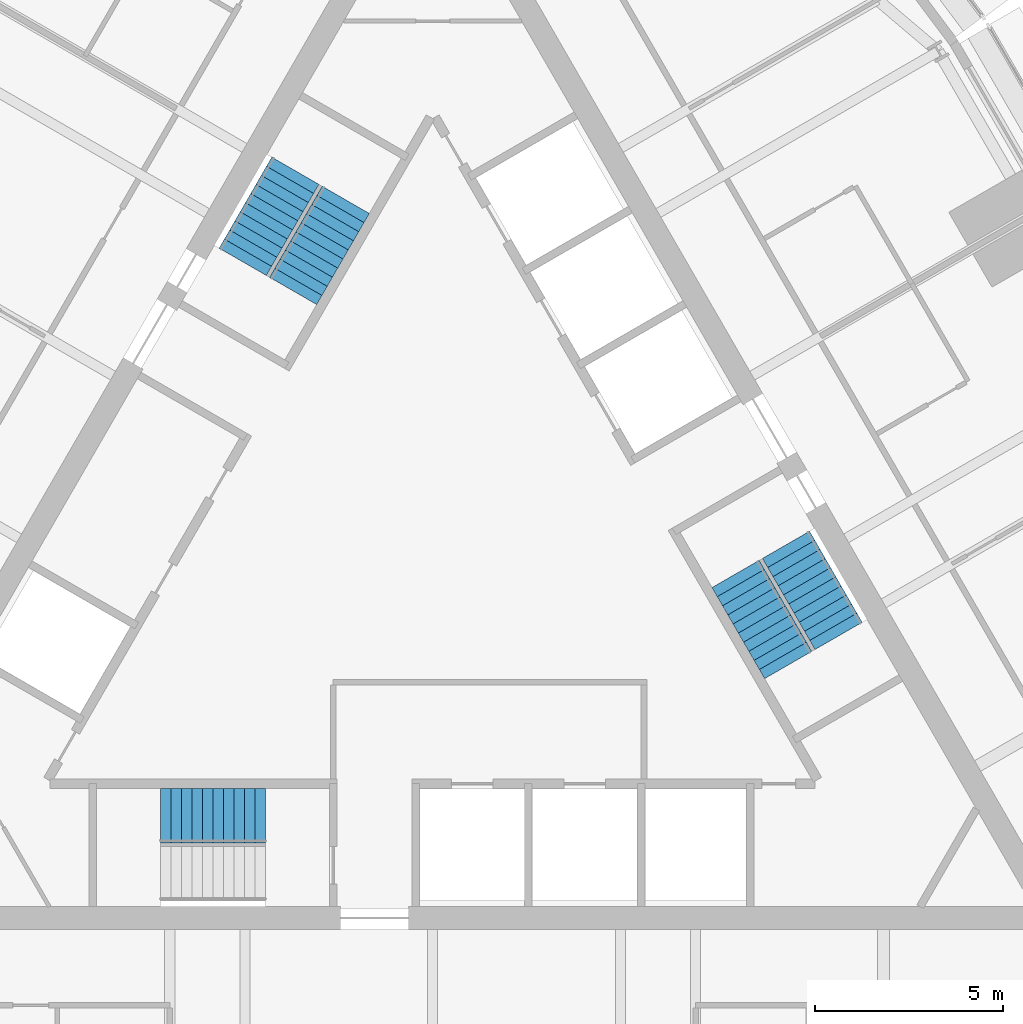
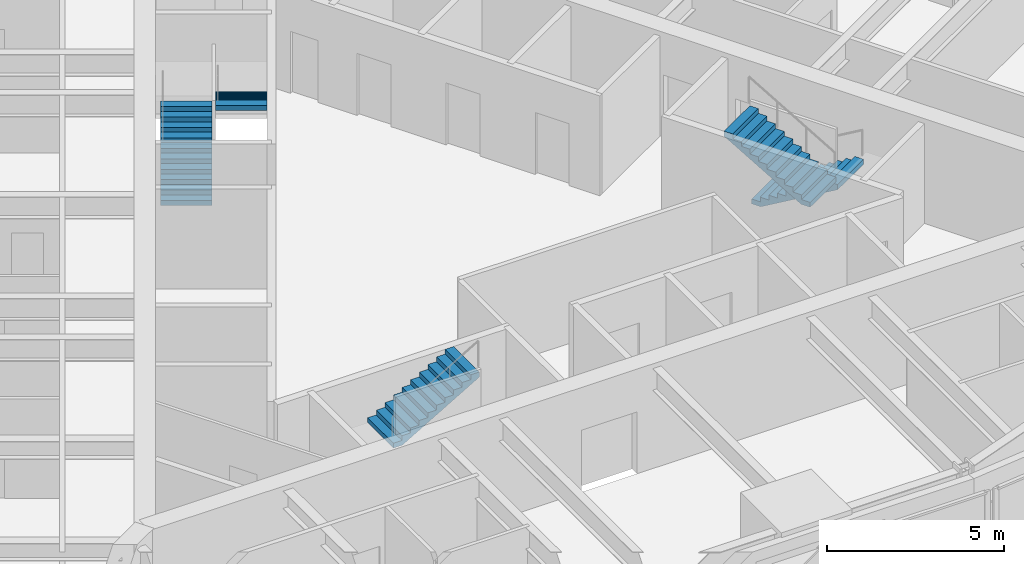
# One storey, part 11 of 12: 5 stair flights, 3 elements without a shape of their own.
"""IFC4 building model written with IfcOpenShell, lengths in metres."""

from ifc_helpers import new_model, si_unit, direction, frame, origin, place, context, subcontext, project, spatial, polyline, outline, extrude, material, type_object, element, aggregate, save


model = new_model("IFC4")

# Units and contexts
model_context = context("Model", 3, precision=1e-05, world=origin(), true_north=direction((0.0, 1.0)))
body_context = subcontext(model_context, "Body", "Model", "MODEL_VIEW")
ifc_project = project(units=[si_unit("LENGTHUNIT", "METRE"), si_unit("AREAUNIT", "SQUARE_METRE"), si_unit("VOLUMEUNIT", "CUBIC_METRE"), si_unit("PLANEANGLEUNIT", "RADIAN"), si_unit("MASSUNIT", "GRAM", prefix="KILO")], contexts=[model_context])

# Site, building, storey
site_placement = place(None, origin())
site = spatial("IfcSite", under=ifc_project, at=site_placement, CompositionType="ELEMENT")
building_placement = place(site_placement, origin())
building = spatial("IfcBuilding", under=site, at=building_placement, Name="Trikona Tower", CompositionType="ELEMENT")
storey_placement = place(building_placement, frame((0.0, 0.0, 253.699951171875)))
storey = spatial("IfcBuildingStorey", under=building, at=storey_placement, Name="L67", CompositionType="ELEMENT", Elevation=253.699951171875)

# Stair, stair flight
ifc_material_1 = material(Name="Concrete f'c 5000 psi", Category="concrete")
stair_type = type_object("IfcStairType", Name="Core stair", PredefinedType="HALF_TURN_STAIR", material=ifc_material_1)
stair_1_placement = place(storey_placement, origin())
stair_1 = element("IfcStair", 1, at=stair_1_placement, inside=storey, type_object=stair_type, Name="Stair A L67", PredefinedType="HALF_TURN_STAIR")
ifc_material_2 = material(Name="Concrete f'c 5000 psi", Category="concrete")
stair_flight_type = type_object("IfcStairFlightType", Name="Core stair flight 1450", PredefinedType="STRAIGHT", material=ifc_material_2)
stair_flight_1_placement = place(storey_placement, frame((-7.25, -6.80126953125, 1.800048828125), z_axis=(0.0, 0.0, 1.0), x_axis=(1.0, 0.0, 0.0)))
stair_flight_1 = element("IfcStairFlight", 2, at=stair_flight_1_placement, type_object=stair_flight_type, Name="ST-A flight 2", NumberOfRisers=11, NumberOfTreads=10, PredefinedType="STRAIGHT", RiserHeight=0.163636, TreadLength=0.28, context=body_context, shape_type="SweptSolid", body=[
    extrude(outline(polyline([(0.0, 0.0), (0.0, 0.16357421875), (0.280029296875, 0.16357421875), (0.280029296875, 0.327392578125), (0.56005859375, 0.327392578125), (0.56005859375, 0.490966796875), (0.840087890625, 0.490966796875), (0.840087890625, 0.654541015625), (1.1201171875, 0.654541015625), (1.1201171875, 0.818115234375), (1.39990234375, 0.818115234375), (1.39990234375, 0.98193359375), (1.679931640625, 0.98193359375), (1.679931640625, 1.1455078125), (1.9599609375, 1.1455078125), (1.9599609375, 1.30908203125), (2.239990234375, 1.30908203125), (2.239990234375, 1.47265625), (2.52001953125, 1.47265625), (2.52001953125, 1.636474609375), (2.800048828125, 1.636474609375), (2.800048828125, 1.800048828125), (2.800048828125, 1.462646484375), (0.297119140625, 0.0), (0.0, 0.0)])), frame((0.0, 0.72509765625, 0.0), z_axis=(0.0, -1.0, 0.0), x_axis=(1.0, 0.0, 0.0)), (0.0, 0.0, 1.0), 1.449951171875),
])
aggregate(stair_1, [stair_flight_1])

# Stair, stair flights
stair_2_placement = place(storey_placement, origin())
stair_2 = element("IfcStair", 3, at=stair_2_placement, inside=storey, type_object=stair_type, Name="Stair B L67", PredefinedType="HALF_TURN_STAIR")
stair_flight_2_placement = place(storey_placement, frame((9.407470703125, 0.408447265625, 0.0), z_axis=(0.0, 0.0, 1.0), x_axis=(0.5, -0.866025403784, 0.0)))
stair_flight_2 = element("IfcStairFlight", 4, at=stair_flight_2_placement, type_object=stair_flight_type, Name="ST-B flight 1", NumberOfRisers=11, NumberOfTreads=10, PredefinedType="STRAIGHT", RiserHeight=0.163636, TreadLength=0.28, context=body_context, shape_type="SweptSolid", body=[
    extrude(outline(polyline([(0.0, 0.0), (0.0, 0.16357421875), (0.280029296875, 0.16357421875), (0.280029296875, 0.327392578125), (0.56005859375, 0.327392578125), (0.56005859375, 0.490966796875), (0.840087890625, 0.490966796875), (0.840087890625, 0.654541015625), (1.1201171875, 0.654541015625), (1.1201171875, 0.818115234375), (1.39990234375, 0.818115234375), (1.39990234375, 0.98193359375), (1.679931640625, 0.98193359375), (1.679931640625, 1.1455078125), (1.9599609375, 1.1455078125), (1.9599609375, 1.30908203125), (2.239990234375, 1.30908203125), (2.239990234375, 1.47265625), (2.52001953125, 1.47265625), (2.52001953125, 1.636474609375), (2.800048828125, 1.636474609375), (2.800048828125, 1.800048828125), (2.800048828125, 1.462646484375), (0.297119140625, 0.0), (0.0, 0.0)])), frame((0.0, 0.72509765625, 0.0), z_axis=(0.0, -1.0, 0.0), x_axis=(1.0, 0.0, 0.0)), (0.0, 0.0, 1.0), 1.449951171875),
])
stair_flight_3_placement = place(storey_placement, frame((9.465087890625, -2.79150390625, 1.800048828125), z_axis=(0.0, 0.0, 1.0), x_axis=(-0.5, 0.866025403784, 0.0)))
stair_flight_3 = element("IfcStairFlight", 5, at=stair_flight_3_placement, type_object=stair_flight_type, Name="ST-B flight 2", NumberOfRisers=11, NumberOfTreads=10, PredefinedType="STRAIGHT", RiserHeight=0.163636, TreadLength=0.28, context=body_context, shape_type="SweptSolid", body=[
    extrude(outline(polyline([(0.0, 0.0), (0.0, 0.16357421875), (0.280029296875, 0.16357421875), (0.280029296875, 0.327392578125), (0.56005859375, 0.327392578125), (0.56005859375, 0.490966796875), (0.840087890625, 0.490966796875), (0.840087890625, 0.654541015625), (1.1201171875, 0.654541015625), (1.1201171875, 0.818115234375), (1.39990234375, 0.818115234375), (1.39990234375, 0.98193359375), (1.679931640625, 0.98193359375), (1.679931640625, 1.1455078125), (1.9599609375, 1.1455078125), (1.9599609375, 1.30908203125), (2.239990234375, 1.30908203125), (2.239990234375, 1.47265625), (2.52001953125, 1.47265625), (2.52001953125, 1.636474609375), (2.800048828125, 1.636474609375), (2.800048828125, 1.800048828125), (2.800048828125, 1.462646484375), (0.297119140625, 0.0), (0.0, 0.0)])), frame((0.0, 0.72509765625, 0.0), z_axis=(0.0, -1.0, 0.0), x_axis=(1.0, 0.0, 0.0)), (0.0, 0.0, 1.0), 1.449951171875),
])
aggregate(stair_2, [stair_flight_2, stair_flight_3])

stair_3_placement = place(storey_placement, origin())
stair_3 = element("IfcStair", 6, at=stair_3_placement, inside=storey, type_object=stair_type, Name="Stair C L67", PredefinedType="HALF_TURN_STAIR")
stair_flight_4_placement = place(storey_placement, frame((-5.057373046875, 7.94287109375, 0.0), z_axis=(0.0, 0.0, 1.0), x_axis=(0.5, 0.866025403784, 0.0)))
stair_flight_4 = element("IfcStairFlight", 7, at=stair_flight_4_placement, type_object=stair_flight_type, Name="ST-C flight 1", NumberOfRisers=11, NumberOfTreads=10, PredefinedType="STRAIGHT", RiserHeight=0.163636, TreadLength=0.28, context=body_context, shape_type="SweptSolid", body=[
    extrude(outline(polyline([(0.0, 0.0), (0.0, 0.16357421875), (0.280029296875, 0.16357421875), (0.280029296875, 0.327392578125), (0.56005859375, 0.327392578125), (0.56005859375, 0.490966796875), (0.840087890625, 0.490966796875), (0.840087890625, 0.654541015625), (1.1201171875, 0.654541015625), (1.1201171875, 0.818115234375), (1.39990234375, 0.818115234375), (1.39990234375, 0.98193359375), (1.679931640625, 0.98193359375), (1.679931640625, 1.1455078125), (1.9599609375, 1.1455078125), (1.9599609375, 1.30908203125), (2.239990234375, 1.30908203125), (2.239990234375, 1.47265625), (2.52001953125, 1.47265625), (2.52001953125, 1.636474609375), (2.800048828125, 1.636474609375), (2.800048828125, 1.800048828125), (2.800048828125, 1.462646484375), (0.297119140625, 0.0), (0.0, 0.0)])), frame((0.0, 0.72509765625, 0.0), z_axis=(0.0, -1.0, 0.0), x_axis=(1.0, 0.0, 0.0)), (0.0, 0.0, 1.0), 1.449951171875),
])
stair_flight_5_placement = place(storey_placement, frame((-2.315185546875, 9.5927734375, 1.800048828125), z_axis=(0.0, 0.0, 1.0), x_axis=(-0.5, -0.866025403784, 0.0)))
stair_flight_5 = element("IfcStairFlight", 8, at=stair_flight_5_placement, type_object=stair_flight_type, Name="ST-C flight 2", NumberOfRisers=11, NumberOfTreads=10, PredefinedType="STRAIGHT", RiserHeight=0.163636, TreadLength=0.28, context=body_context, shape_type="SweptSolid", body=[
    extrude(outline(polyline([(0.0, 0.0), (0.0, 0.16357421875), (0.280029296875, 0.16357421875), (0.280029296875, 0.327392578125), (0.56005859375, 0.327392578125), (0.56005859375, 0.490966796875), (0.840087890625, 0.490966796875), (0.840087890625, 0.654541015625), (1.1201171875, 0.654541015625), (1.1201171875, 0.818115234375), (1.39990234375, 0.818115234375), (1.39990234375, 0.98193359375), (1.679931640625, 0.98193359375), (1.679931640625, 1.1455078125), (1.9599609375, 1.1455078125), (1.9599609375, 1.30908203125), (2.239990234375, 1.30908203125), (2.239990234375, 1.47265625), (2.52001953125, 1.47265625), (2.52001953125, 1.636474609375), (2.800048828125, 1.636474609375), (2.800048828125, 1.800048828125), (2.800048828125, 1.462646484375), (0.297119140625, 0.0), (0.0, 0.0)])), frame((0.0, 0.72509765625, 0.0), z_axis=(0.0, -1.0, 0.0), x_axis=(1.0, 0.0, 0.0)), (0.0, 0.0, 1.0), 1.449951171875),
])
aggregate(stair_3, [stair_flight_4, stair_flight_5])

save(model, "model.ifc")
